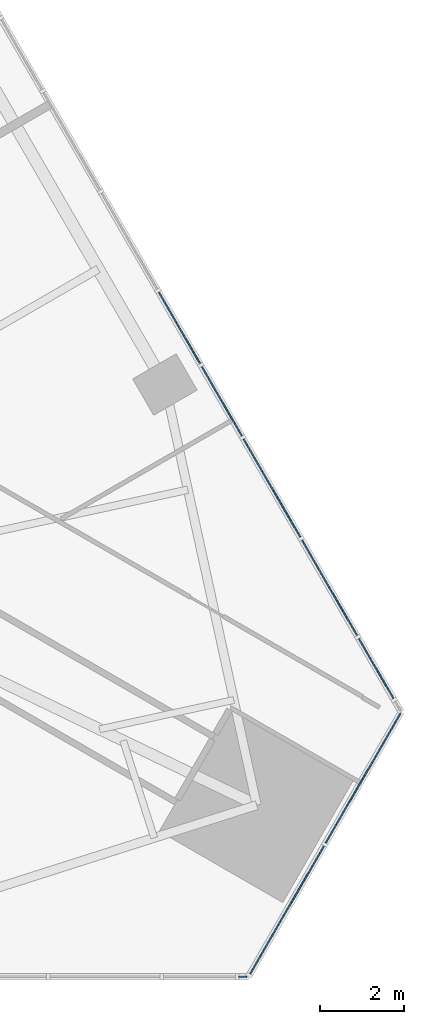
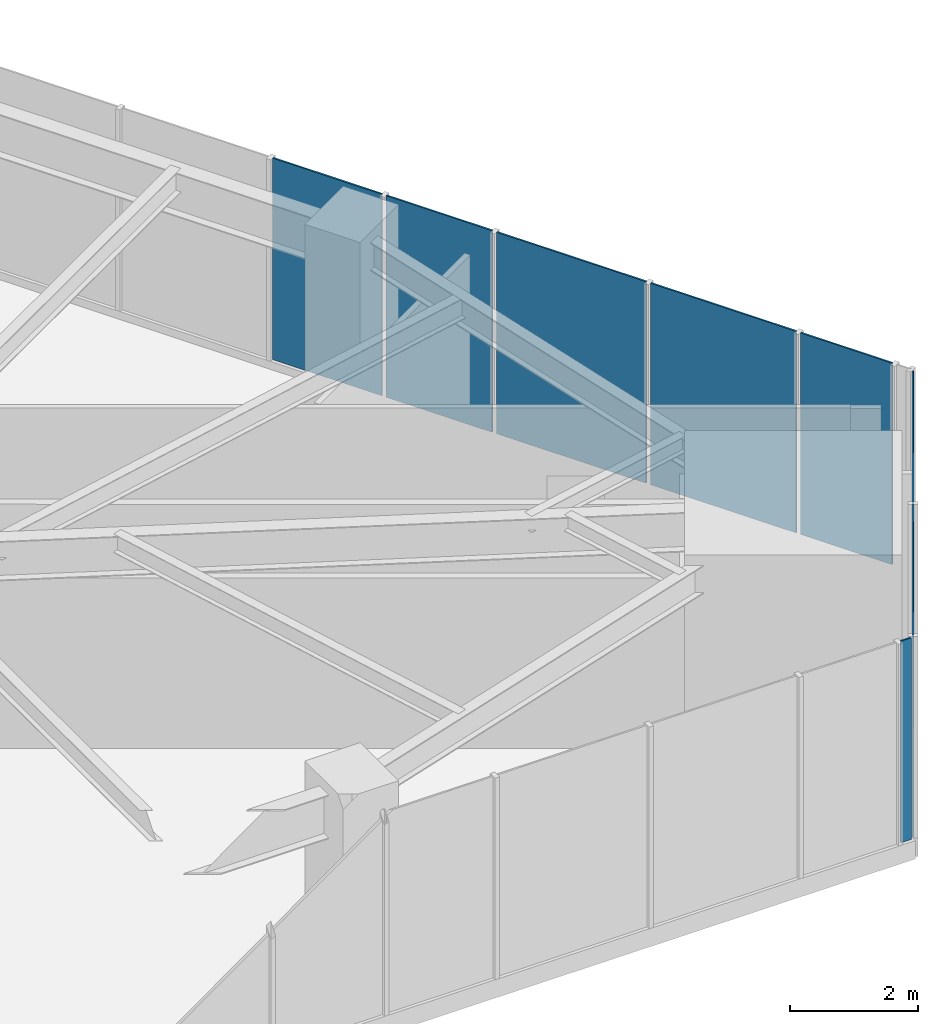
# One storey, part 15 of 25: 8 plates, 3 elements without a shape of their own.
"""IFC4 building model written with IfcOpenShell, lengths in metres."""

from ifc_helpers import new_model, si_unit, direction, frame, origin, place, context, subcontext, project, spatial, polyline, outline, extrude, material, layer, layer_set, type_object, element, aggregate, save


model = new_model("IFC4")

# Units and contexts
model_context = context("Model", 3, precision=1e-05, world=origin(), true_north=direction((0.0, 1.0)))
body_context = subcontext(model_context, "Body", "Model", "MODEL_VIEW")
ifc_project = project(units=[si_unit("LENGTHUNIT", "METRE"), si_unit("AREAUNIT", "SQUARE_METRE"), si_unit("VOLUMEUNIT", "CUBIC_METRE"), si_unit("PLANEANGLEUNIT", "RADIAN"), si_unit("MASSUNIT", "GRAM", prefix="KILO")], contexts=[model_context])

# Site, building, storey
site_placement = place(None, origin())
site = spatial("IfcSite", under=ifc_project, at=site_placement, CompositionType="ELEMENT")
building_placement = place(site_placement, origin())
building = spatial("IfcBuilding", under=site, at=building_placement, Name="Firuza Gate Tower and Library", CompositionType="ELEMENT")
storey_placement = place(building_placement, frame((0.0, 0.0, 61.0)))
storey = spatial("IfcBuildingStorey", under=building, at=storey_placement, Name="L13", CompositionType="ELEMENT", Elevation=61.0)

# Curtain wall, plates
ifc_material_1 = material(Name="Aluminium 6063-T6", Category="aluminium")
ifc_layer_1 = layer(ifc_material_1, 0.14990234375)
ifc_layer_set_1 = layer_set([ifc_layer_1], Name="Corner curtain wall, chamfers")
curtain_wall_type_1 = type_object("IfcCurtainWallType", Name="Corner curtain wall, chamfers", PredefinedType="NOTDEFINED", material=ifc_layer_set_1)
placement = place(storey_placement, origin())
curtain_wall_1 = element("IfcCurtainWall", 1, at=placement, inside=storey, type_object=curtain_wall_type_1, Name="CW4 L13 SE corner", PredefinedType="NOTDEFINED")
ifc_material_2 = material(Name="Fritted glass", Category="glass")
ifc_layer_2 = layer(ifc_material_2, 0.030029296875)
ifc_layer_set_2 = layer_set([ifc_layer_2], Name="Fritted glass unit, corners")
plate_type_1 = type_object("IfcPlateType", Name="Fritted glass unit, corners", PredefinedType="CURTAIN_PANEL", material=ifc_layer_set_2)
plate_1_placement = place(storey_placement, frame((103.6796875, 54.281005859375, 0.14990234375), z_axis=(0.866016723041, -0.500015035186, 0.0), x_axis=(0.500015035186, 0.866016723041, 0.0)))
plate_1 = element("IfcPlate", 2, at=plate_1_placement, type_object=plate_type_1, Name="Glass unit", PredefinedType="CURTAIN_PANEL", context=body_context, shape_type="SweptSolid", body=[
    extrude(outline(polyline([(0.0, 0.0), (3.5633694106530625, 0.0), (3.5633694106530625, 3.85009765625), (0.0, 3.85009765625), (0.0, 0.0)])), origin(), (0.0, 0.0, -1.0), 0.030029296875),
])
plate_2_placement = place(storey_placement, frame((105.501220703125, 57.436279296875, 0.14990234375), z_axis=(0.866016723041, -0.500015035186, 0.0), x_axis=(0.500015035186, 0.866016723041, 0.0)))
plate_2 = element("IfcPlate", 3, at=plate_2_placement, type_object=plate_type_1, Name="Glass unit", PredefinedType="CURTAIN_PANEL", context=body_context, shape_type="SweptSolid", body=[
    extrude(outline(polyline([(0.0, 0.0), (3.5633694106530625, 0.0), (3.5633694106530625, 3.85009765625), (0.0, 3.85009765625), (0.0, 0.0)])), origin(), (0.0, 0.0, -1.0), 0.030029296875),
])
aggregate(curtain_wall_1, [plate_1, plate_2])

ifc_material_3 = material(Name="Aluminium 6063-T6", Category="aluminium")
ifc_layer_3 = layer(ifc_material_3, 0.14990234375)
ifc_layer_set_3 = layer_set([ifc_layer_3], Name="Unitised curtain wall, offices")
curtain_wall_type_2 = type_object("IfcCurtainWallType", Name="Unitised curtain wall, offices", PredefinedType="NOTDEFINED", material=ifc_layer_set_3)
curtain_wall_2 = element("IfcCurtainWall", 4, at=placement, inside=storey, type_object=curtain_wall_type_2, Name="CW1 L13 E face", PredefinedType="NOTDEFINED")
ifc_material_4 = material(Name="Fritted glass", Category="glass")
ifc_layer_4 = layer(ifc_material_4, 0.030029296875)
ifc_layer_set_4 = layer_set([ifc_layer_4], Name="Fritted glass unit, offices")
plate_type_2 = type_object("IfcPlateType", Name="Fritted glass unit, offices", PredefinedType="CURTAIN_PANEL", material=ifc_layer_set_4)
plate_3_placement = place(storey_placement, frame((107.117431640625, 60.893310546875, 0.14990234375), z_axis=(0.866035590988, 0.499982354831, 0.0), x_axis=(-0.499982354831, 0.866035590988, 0.0)))
plate_3 = element("IfcPlate", 5, at=plate_3_placement, type_object=plate_type_2, Name="Glass unit", PredefinedType="CURTAIN_PANEL", context=body_context, shape_type="SweptSolid", body=[
    extrude(outline(polyline([(0.0, 0.0), (1.6533786607913612, 0.0), (1.6533786607913612, 3.85009765625), (0.0, 3.85009765625), (0.0, 0.0)])), origin(), (0.0, 0.0, -1.0), 0.030029296875),
])
plate_4_placement = place(storey_placement, frame((103.504638671875, 67.150634765625, 0.14990234375), z_axis=(0.866034629516, 0.499984020225, 0.0), x_axis=(-0.499984020225, 0.866034629516, 0.0)))
plate_4 = element("IfcPlate", 6, at=plate_4_placement, type_object=plate_type_2, Name="Glass unit", PredefinedType="CURTAIN_PANEL", context=body_context, shape_type="SweptSolid", body=[
    extrude(outline(polyline([(0.0, 0.0), (1.9121704871101466, 0.0), (1.9121704871101466, 3.85009765625), (0.0, 3.85009765625), (0.0, 0.0)])), origin(), (0.0, 0.0, -1.0), 0.030029296875),
])
plate_5_placement = place(storey_placement, frame((102.508544921875, 68.8759765625, 0.14990234375), z_axis=(0.866030824681, 0.499990610615, 0.0), x_axis=(-0.499990610615, 0.866030824681, 0.0)))
plate_5 = element("IfcPlate", 7, at=plate_5_placement, type_object=plate_type_2, Name="Glass unit", PredefinedType="CURTAIN_PANEL", context=body_context, shape_type="SweptSolid", body=[
    extrude(outline(polyline([(0.0, 0.0), (1.970251842657166, 0.0), (1.970251842657166, 3.85009765625), (0.0, 3.85009765625), (0.0, 0.0)])), origin(), (0.0, 0.0, -1.0), 0.030029296875),
])

# Curtain wall, plate
curtain_wall_3 = element("IfcCurtainWall", 8, at=placement, inside=storey, type_object=curtain_wall_type_2, Name="CW1 L13 S face", PredefinedType="NOTDEFINED")
ifc_material_5 = material(Name="Glazed ceramic tile")
ifc_layer_5 = layer(ifc_material_5, 0.030029296875)
ifc_layer_set_5 = layer_set([ifc_layer_5], Name="Opaque ceramic panel, offices")
plate_type_3 = type_object("IfcPlateType", Name="Opaque ceramic panel, offices", PredefinedType="CURTAIN_PANEL", material=ifc_layer_set_5)
plate_6_placement = place(storey_placement, frame((103.420654296875, 54.239013671875, 0.14990234375), z_axis=(0.0, -1.0, 0.0), x_axis=(1.0, 0.0, 0.0)))
plate_6 = element("IfcPlate", 9, at=plate_6_placement, type_object=plate_type_3, Name="Opaque ceramic panel", PredefinedType="CURTAIN_PANEL", context=body_context, shape_type="SweptSolid", body=[
    extrude(outline(polyline([(0.0, 0.0), (0.18603515625, 0.0), (0.18603515625, 3.85009765625), (0.0, 3.85009765625), (0.0, 0.0)])), origin(), (0.0, 0.0, -1.0), 0.030029296875),
])
aggregate(curtain_wall_3, [plate_6])

# Plate
plate_7_placement = place(storey_placement, frame((106.250732421875, 62.39453125, 0.14990234375), z_axis=(0.866006239939, 0.500033191285, 0.0), x_axis=(-0.500033191285, 0.866006239939, 0.0)))
plate_7 = element("IfcPlate", 10, at=plate_7_placement, type_object=plate_type_3, Name="Opaque ceramic panel", PredefinedType="CURTAIN_PANEL", context=body_context, shape_type="SweptSolid", body=[
    extrude(outline(polyline([(0.0, 0.0), (2.629708245706126, 0.0), (2.629708245706126, 3.85009765625), (0.0, 3.85009765625), (0.0, 0.0)])), origin(), (0.0, 0.0, -1.0), 0.030029296875),
])

plate_8_placement = place(storey_placement, frame((104.895751953125, 64.7412109375, 0.14990234375), z_axis=(0.866021582578, 0.500006618465, 0.0), x_axis=(-0.500006618465, 0.866021582578, 0.0)))
plate_8 = element("IfcPlate", 11, at=plate_8_placement, type_object=plate_type_3, Name="Opaque ceramic panel", PredefinedType="CURTAIN_PANEL", context=body_context, shape_type="SweptSolid", body=[
    extrude(outline(polyline([(0.0, 0.0), (2.7021126698235003, 0.0), (2.7021126698235003, 3.85009765625), (0.0, 3.85009765625), (0.0, 0.0)])), origin(), (0.0, 0.0, -1.0), 0.030029296875),
])

aggregate(curtain_wall_2, [plate_3, plate_7, plate_8, plate_4, plate_5])

save(model, "model.ifc")
